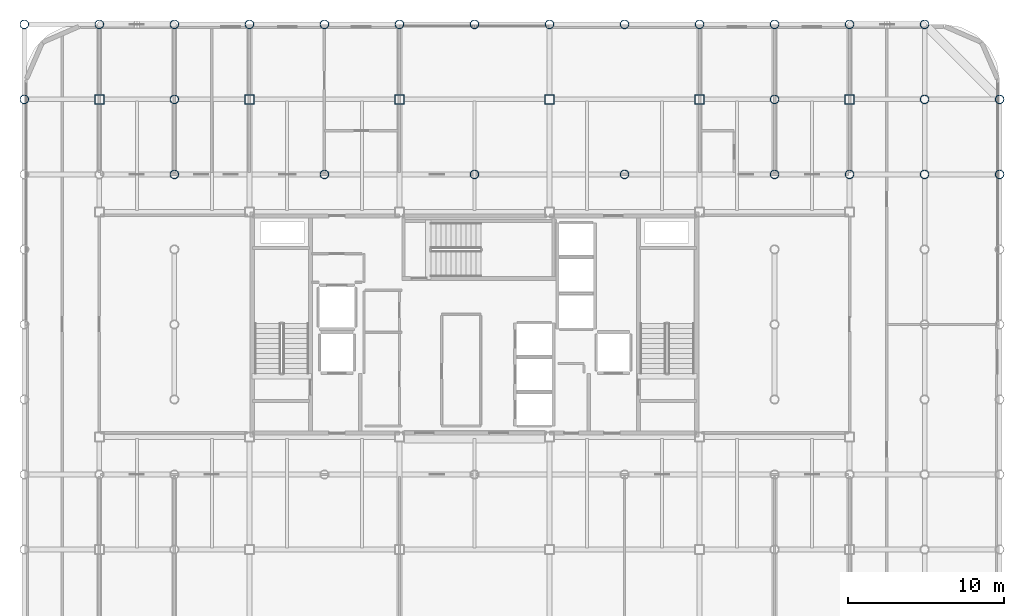
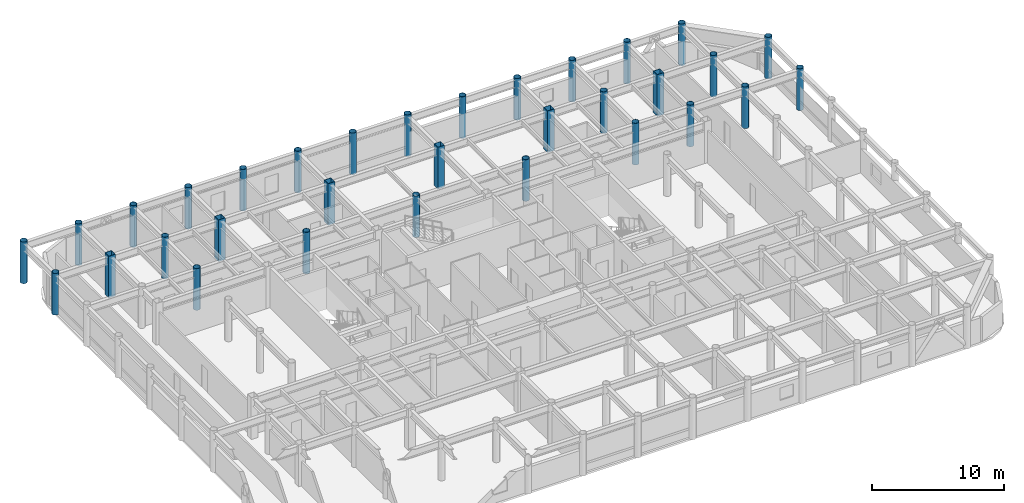
# One storey, part 2 of 21: 32 columns.
"""IFC4 building model written with IfcOpenShell, lengths in metres."""

from ifc_helpers import new_model, si_unit, direction, frame, origin, origin_2d, place, context, subcontext, project, spatial, hollow_rectangle, hollow_circle, extrude, material, material_profile, profile_set, type_object, element, save


model = new_model("IFC4")

# Units and contexts
model_context = context("Model", 3, precision=1e-05, world=origin(), true_north=direction((0.0, 1.0)))
body_context = subcontext(model_context, "Body", "Model", "MODEL_VIEW")
ifc_project = project(units=[si_unit("LENGTHUNIT", "METRE"), si_unit("AREAUNIT", "SQUARE_METRE"), si_unit("VOLUMEUNIT", "CUBIC_METRE"), si_unit("PLANEANGLEUNIT", "RADIAN"), si_unit("MASSUNIT", "GRAM", prefix="KILO")], contexts=[model_context])

# Site, building, storey
site_placement = place(None, origin())
site = spatial("IfcSite", under=ifc_project, at=site_placement, CompositionType="ELEMENT")
building_placement = place(site_placement, origin())
building = spatial("IfcBuilding", under=site, at=building_placement, Name="Kallvorn Hotel Tower", CompositionType="ELEMENT")
storey_placement = place(building_placement, frame((0.0, 0.0, 214.60009765625)))
storey = spatial("IfcBuildingStorey", under=building, at=storey_placement, Name="L53", CompositionType="ELEMENT", Elevation=214.60009765625)

# Columns
ifc_material_1 = material(Name="Structural steel S355J2H", Category="steel")
ifc_material_profile_1 = material_profile(ifc_material_1, hollow_circle(Radius=0.279541015625, WallThickness=0.02490234375, at=origin_2d()), Name="CHS 559x25")
ifc_profile_set_1 = profile_set([ifc_material_profile_1], Name="Structural steel S355J2H")
column_type_1 = type_object("IfcColumnType", Name="COL_CHS_559", PredefinedType="COLUMN", material=ifc_profile_set_1)
for number, where, z_axis, x_axis, name in (
    (1, (-28.800048828125, 14.39990234375, 0.0), (0.0, 0.0, 1.0), (1.0, 0.0, 0.0), "L53 Exoskeleton Column EC08"),
    (2, (-28.800048828125, 19.199951171875, 0.0), (0.0, 0.0, 1.0), (1.0, 0.0, 0.0), "L53 Exoskeleton Column EC09"),
    (3, (-24.0, 19.199951171875, 0.0), (0.0, 0.0, 1.0), (1.0, 0.0, 0.0), "L53 Exoskeleton Column EC14"),
    (4, (-19.199951171875, 9.60009765625, 0.0), (0.0, 0.0, 1.0), (1.0, 0.0, 0.0), "L53 Exoskeleton Column EC22"),
    (5, (-19.199951171875, 14.39990234375, 0.0), (0.0, 0.0, 1.0), (1.0, 0.0, 0.0), "L53 Exoskeleton Column EC23"),
    (6, (-19.199951171875, 19.199951171875, 0.0), (0.0, 0.0, 1.0), (1.0, 0.0, 0.0), "L53 Exoskeleton Column EC24"),
    (7, (-14.39990234375, 19.199951171875, 0.0), (0.0, 0.0, 1.0), (1.0, 0.0, 0.0), "L53 Exoskeleton Column EC27"),
    (8, (-9.60009765625, 9.60009765625, 0.0), (0.0, 0.0, 1.0), (1.0, 0.0, 0.0), "L53 Exoskeleton Column EC31"),
    (9, (-9.60009765625, 19.199951171875, 0.0), (0.0, 0.0, 1.0), (1.0, 0.0, 0.0), "L53 Exoskeleton Column EC32"),
    (10, (-4.800048828125, 19.199951171875, 0.0), (0.0, 0.0, 1.0), (1.0, 0.0, 0.0), "L53 Exoskeleton Column EC35"),
    (11, (0.0, 9.60009765625, 0.0), (0.0, 0.0, 1.0), (1.0, 0.0, 0.0), "L53 Exoskeleton Column EC39"),
    (12, (0.0, 19.199951171875, 0.0), (0.0, 0.0, 1.0), (1.0, 0.0, 0.0), "L53 Exoskeleton Column EC40"),
    (13, (4.800048828125, 19.199951171875, 0.0), (0.0, 0.0, 1.0), (1.0, 0.0, 0.0), "L53 Exoskeleton Column EC43"),
    (14, (9.60009765625, 9.60009765625, 0.0), (0.0, 0.0, 1.0), (1.0, 0.0, 0.0), "L53 Exoskeleton Column EC47"),
    (15, (9.60009765625, 19.199951171875, 0.0), (0.0, 0.0, 1.0), (1.0, 0.0, 0.0), "L53 Exoskeleton Column EC48"),
    (16, (14.39990234375, 19.199951171875, 0.0), (0.0, 0.0, 1.0), (1.0, 0.0, 0.0), "L53 Exoskeleton Column EC51"),
    (17, (19.199951171875, 9.60009765625, 0.0), (0.0, 0.0, 1.0), (1.0, 0.0, 0.0), "L53 Exoskeleton Column EC59"),
    (18, (19.199951171875, 14.39990234375, 0.0), (0.0, 0.0, 1.0), (1.0, 0.0, 0.0), "L53 Exoskeleton Column EC60"),
    (19, (19.199951171875, 19.199951171875, 0.0), (0.0, 0.0, 1.0), (1.0, 0.0, 0.0), "L53 Exoskeleton Column EC61"),
    (20, (24.0, 9.60009765625, 0.0), (0.0, 0.0, 1.0), (1.0, 0.0, 0.0), "L53 Exoskeleton Column EC65"),
    (21, (24.0, 19.199951171875, 0.0), (0.0, 0.0, 1.0), (1.0, 0.0, 0.0), "L53 Exoskeleton Column EC66"),
    (22, (28.800048828125, 9.60009765625, 0.0), (0.0, 0.0, 1.0), (1.0, 0.0, 0.0), "L53 Exoskeleton Column EC74"),
    (23, (28.800048828125, 14.39990234375, 0.0), (0.0, 0.0, 1.0), (1.0, 0.0, 0.0), "L53 Exoskeleton Column EC75"),
    (24, (28.800048828125, 19.199951171875, 0.0), (0.0, 0.0, 1.0), (1.0, 0.0, 0.0), "L53 Exoskeleton Column EC76"),
    (25, (33.60009765625, 9.60009765625, 0.0), (0.0, 0.0, 1.0), (1.0, 0.0, 0.0), "L53 Exoskeleton Column EC83"),
    (26, (33.60009765625, 14.39990234375, 0.0), (0.0, 0.0, 1.0), (1.0, 0.0, 0.0), "L53 Exoskeleton Column EC84"),
):
    element("IfcColumn", number, at=place(storey_placement, frame(where, z_axis=z_axis, x_axis=x_axis)), inside=storey, type_object=column_type_1, Name=name, PredefinedType="COLUMN", context=body_context, shape_type="SweptSolid", body=[
        extrude(hollow_circle(Radius=0.279541015625, WallThickness=0.02490234375, at=origin_2d()), origin(), (0.0, 0.0, 1.0), 3.849853515625),
    ])
ifc_material_2 = material(Name="Structural steel S355J2H", Category="steel")
ifc_material_profile_2 = material_profile(ifc_material_2, hollow_rectangle(XDim=0.60009765625, YDim=0.60009765625, WallThickness=0.028076171875, at=origin_2d()), Name="RHS 600x600x28")
ifc_profile_set_2 = profile_set([ifc_material_profile_2], Name="Structural steel S355J2H")
column_type_2 = type_object("IfcColumnType", Name="COL_RHS_600", PredefinedType="COLUMN", material=ifc_profile_set_2)
for number, where, z_axis, x_axis, name in (
    (27, (-24.0, 14.39990234375, 0.0), (0.0, 0.0, 1.0), (1.0, 0.0, 0.0), "L53 Inner Column IC04"),
    (28, (-14.39990234375, 14.39990234375, 0.0), (0.0, 0.0, 1.0), (1.0, 0.0, 0.0), "L53 Inner Column IC08"),
    (29, (-4.800048828125, 14.39990234375, 0.0), (0.0, 0.0, 1.0), (1.0, 0.0, 0.0), "L53 Inner Column IC12"),
    (30, (4.800048828125, 14.39990234375, 0.0), (0.0, 0.0, 1.0), (1.0, 0.0, 0.0), "L53 Inner Column IC16"),
    (31, (14.39990234375, 14.39990234375, 0.0), (0.0, 0.0, 1.0), (1.0, 0.0, 0.0), "L53 Inner Column IC20"),
    (32, (24.0, 14.39990234375, 0.0), (0.0, 0.0, 1.0), (1.0, 0.0, 0.0), "L53 Inner Column IC24"),
):
    element("IfcColumn", number, at=place(storey_placement, frame(where, z_axis=z_axis, x_axis=x_axis)), inside=storey, type_object=column_type_2, Name=name, PredefinedType="COLUMN", context=body_context, shape_type="SweptSolid", body=[
        extrude(hollow_rectangle(XDim=0.60009765625, YDim=0.60009765625, WallThickness=0.028076171875, at=origin_2d()), origin(), (0.0, 0.0, 1.0), 3.849853515625),
    ])

save(model, "model.ifc")
